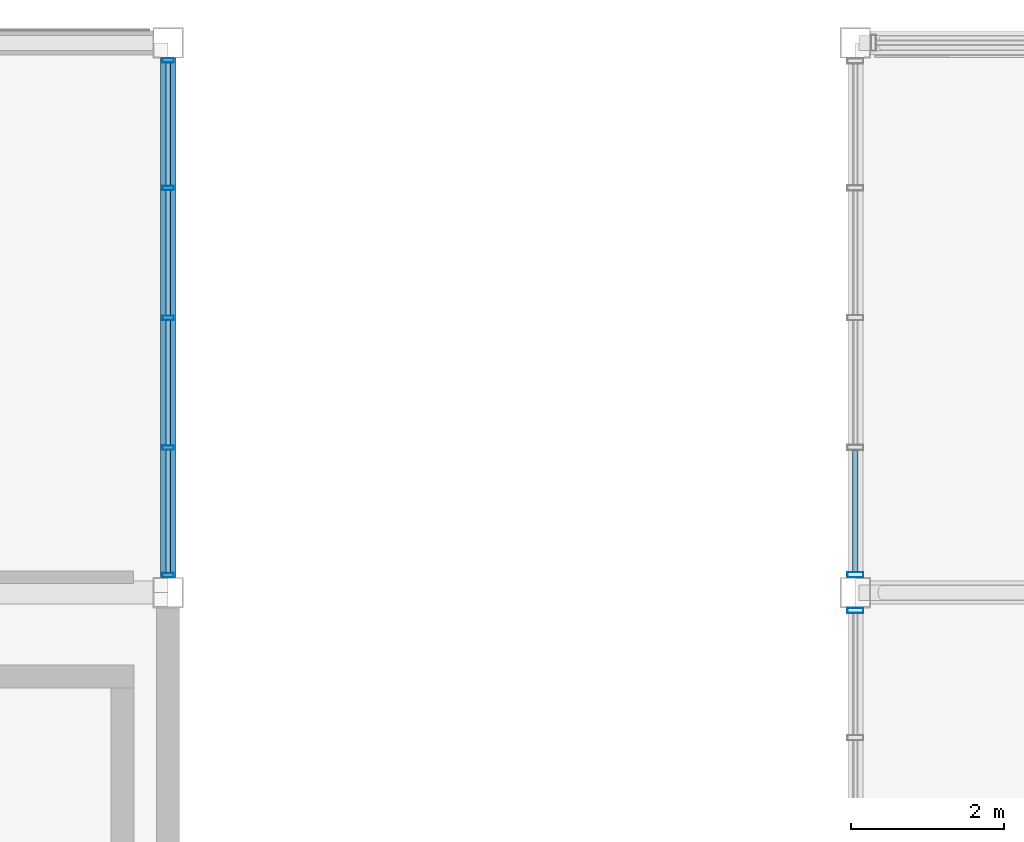
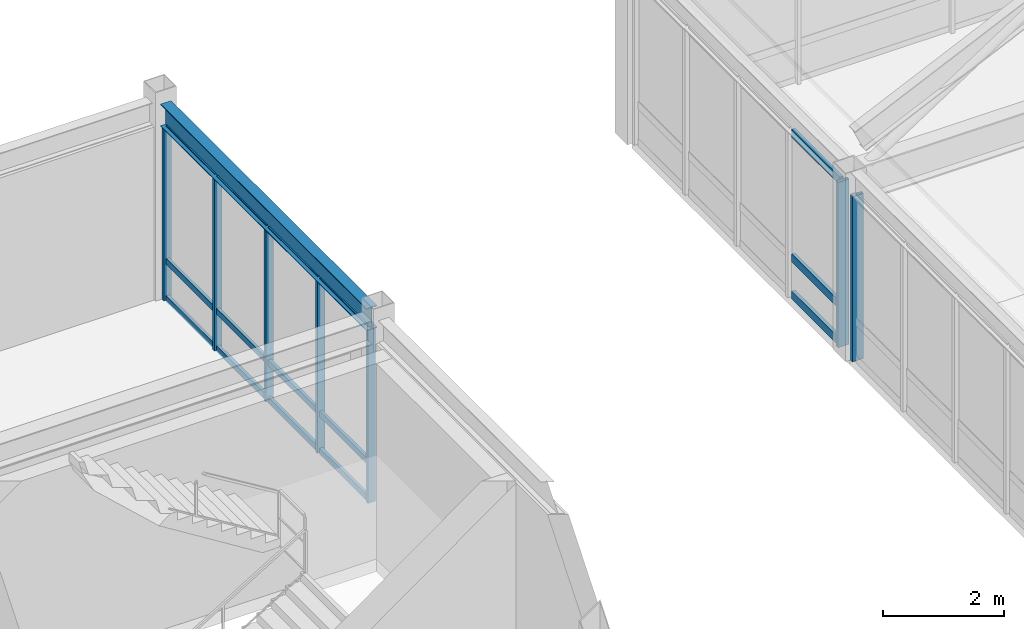
# One storey, part 56 of 106: 22 members, 1 beam, 3 elements without a shape of their own.
"""IFC4 building model written with IfcOpenShell, lengths in metres."""

from ifc_helpers import new_model, si_unit, direction, frame, origin, origin_2d, place, context, subcontext, project, spatial, hollow_rectangle, i_section, extrude, material, material_profile, profile_set, type_object, element, aggregate, save


model = new_model("IFC4")

# Units and contexts
model_context = context("Model", 3, precision=1e-05, world=origin(), true_north=direction((0.0, 1.0)))
body_context = subcontext(model_context, "Body", "Model", "MODEL_VIEW")
ifc_project = project(units=[si_unit("LENGTHUNIT", "METRE"), si_unit("AREAUNIT", "SQUARE_METRE"), si_unit("VOLUMEUNIT", "CUBIC_METRE"), si_unit("PLANEANGLEUNIT", "RADIAN"), si_unit("MASSUNIT", "GRAM", prefix="KILO")], contexts=[model_context])

# Site, building, storey
site_placement = place(None, origin())
site = spatial("IfcSite", under=ifc_project, at=site_placement, CompositionType="ELEMENT")
building_placement = place(site_placement, origin())
building = spatial("IfcBuilding", under=site, at=building_placement, Name="Kazanami Central Library", CompositionType="ELEMENT")
storey_placement = place(building_placement, frame((0.0, 0.0, 12.800048828125)))
storey = spatial("IfcBuildingStorey", under=building, at=storey_placement, Name="L04", CompositionType="ELEMENT", Elevation=12.800048828125)

# Beam
ifc_material_1 = material(Name="Steel SN490B (325 MPa)", Category="steel")
ifc_material_profile_1 = material_profile(ifc_material_1, i_section(OverallWidth=0.199951171875, OverallDepth=0.449951171875, WebThickness=0.009033203125, FlangeThickness=0.013916015625, at=origin_2d()), Name="H-450x200x9x14")
ifc_profile_set_1 = profile_set([ifc_material_profile_1], Name="Steel SN490B (325 MPa)")
beam_type = type_object("IfcBeamType", Name="BM-SP-2", PredefinedType="SPANDREL", material=ifc_profile_set_1)
beam_placement = place(storey_placement, frame((36.0, 86.597900390625, 3.71484375), z_axis=(0.0, 1.0, 0.0), x_axis=(-1.0, 0.0, 0.0)))
element("IfcBeam", 1, at=beam_placement, inside=storey, type_object=beam_type, Name="Girder SP-2 L04 5/N-O", PredefinedType="SPANDREL", context=body_context, shape_type="SweptSolid", body=[
    extrude(i_section(OverallWidth=0.199951171875, OverallDepth=0.449951171875, WebThickness=0.009033203125, FlangeThickness=0.013916015625, at=origin_2d()), origin(), (0.0, 0.0, 1.0), 6.80419921875),
])

# Curtain wall, member
ifc_material_2 = material(Name="Acid-Etched Low-E Laminated Glass", Category="glass")
curtain_wall_type_1 = type_object("IfcCurtainWallType", Name="CW-6800x3330-M180", PredefinedType="USERDEFINED", material=ifc_material_2)
curtain_wall_1_placement = place(storey_placement, origin())
curtain_wall_1 = element("IfcCurtainWall", 2, at=curtain_wall_1_placement, inside=storey, type_object=curtain_wall_type_1, Name="Covered Link Bridge Curtain Wall CW-44 L04 W-6-11", ObjectType="UNITISED CURTAIN WALL", PredefinedType="USERDEFINED")
ifc_material_3 = material(Name="Anodised Aluminium A6063-T5", Category="aluminium")
ifc_material_profile_2 = material_profile(ifc_material_3, hollow_rectangle(XDim=0.070068359375, YDim=0.2099609375, WallThickness=0.0048828125, at=origin_2d()), Name="ALU-MULL-70x210x5")
ifc_profile_set_2 = profile_set([ifc_material_profile_2], Name="Anodised Aluminium A6063-T5")
member_type_1 = type_object("IfcMemberType", Name="MEM-CW-M1", PredefinedType="MULLION", material=ifc_profile_set_2)
member_1_placement = place(storey_placement, frame((45.0, 86.1650390625, 0.0), z_axis=(0.0, 0.0, 1.0), x_axis=(0.0, 1.0, 0.0)))
member_1 = element("IfcMember", 3, at=member_1_placement, type_object=member_type_1, Name="CW-44 mullion 5", PredefinedType="MULLION", context=body_context, shape_type="SweptSolid", body=[
    extrude(hollow_rectangle(XDim=0.070068359375, YDim=0.2099609375, WallThickness=0.0048828125, at=origin_2d()), origin(), (0.0, 0.0, 1.0), 3.329833984375),
])
aggregate(curtain_wall_1, [member_1])

curtain_wall_2_placement = place(storey_placement, origin())
curtain_wall_2 = element("IfcCurtainWall", 4, at=curtain_wall_2_placement, inside=storey, type_object=curtain_wall_type_1, Name="Covered Link Bridge Curtain Wall CW-44 L04 W-6-12", ObjectType="UNITISED CURTAIN WALL", PredefinedType="USERDEFINED")
member_2_placement = place(storey_placement, frame((45.0, 86.635009765625, 0.0), z_axis=(0.0, 0.0, 1.0), x_axis=(0.0, 1.0, 0.0)))
member_2 = element("IfcMember", 5, at=member_2_placement, type_object=member_type_1, Name="CW-44 mullion 1", PredefinedType="MULLION", context=body_context, shape_type="SweptSolid", body=[
    extrude(hollow_rectangle(XDim=0.070068359375, YDim=0.2099609375, WallThickness=0.0048828125, at=origin_2d()), origin(), (0.0, 0.0, 1.0), 3.329833984375),
])

# Curtain wall, members
curtain_wall_type_2 = type_object("IfcCurtainWallType", Name="CW-6800x3490-M180", PredefinedType="USERDEFINED", material=ifc_material_2)
curtain_wall_3_placement = place(storey_placement, origin())
curtain_wall_3 = element("IfcCurtainWall", 6, at=curtain_wall_3_placement, inside=storey, type_object=curtain_wall_type_2, Name="Covered Link Bridge Curtain Wall CW-43 L04 E-5-12", ObjectType="UNITISED CURTAIN WALL", PredefinedType="USERDEFINED")
ifc_material_profile_3 = material_profile(ifc_material_3, hollow_rectangle(XDim=0.06005859375, YDim=0.14990234375, WallThickness=0.00390625, at=origin_2d()), Name="ALU-MULL-60x150x4")
ifc_profile_set_3 = profile_set([ifc_material_profile_3], Name="Anodised Aluminium A6063-T5")
member_type_2 = type_object("IfcMemberType", Name="MEM-CW-M3", PredefinedType="MULLION", material=ifc_profile_set_3)
member_3_placement = place(storey_placement, frame((36.0, 93.3701171875, 0.0), z_axis=(0.0, 0.0, 1.0), x_axis=(0.0, -1.0, 0.0)))
member_3 = element("IfcMember", 7, at=member_3_placement, type_object=member_type_2, Name="CW-43 mullion 1", PredefinedType="MULLION", context=body_context, shape_type="SweptSolid", body=[
    extrude(hollow_rectangle(XDim=0.06005859375, YDim=0.14990234375, WallThickness=0.00390625, at=origin_2d()), origin(), (0.0, 0.0, 1.0), 3.489990234375),
])
member_4_placement = place(storey_placement, frame((36.0, 91.699951171875, 0.0), z_axis=(0.0, 0.0, 1.0), x_axis=(0.0, -1.0, 0.0)))
member_4 = element("IfcMember", 8, at=member_4_placement, type_object=member_type_2, Name="CW-43 mullion 2", PredefinedType="MULLION", context=body_context, shape_type="SweptSolid", body=[
    extrude(hollow_rectangle(XDim=0.06005859375, YDim=0.14990234375, WallThickness=0.00390625, at=origin_2d()), origin(), (0.0, 0.0, 1.0), 3.489990234375),
])
member_5_placement = place(storey_placement, frame((36.0, 90.0, 0.0), z_axis=(0.0, 0.0, 1.0), x_axis=(0.0, -1.0, 0.0)))
member_5 = element("IfcMember", 9, at=member_5_placement, type_object=member_type_2, Name="CW-43 mullion 3", PredefinedType="MULLION", context=body_context, shape_type="SweptSolid", body=[
    extrude(hollow_rectangle(XDim=0.06005859375, YDim=0.14990234375, WallThickness=0.00390625, at=origin_2d()), origin(), (0.0, 0.0, 1.0), 3.489990234375),
])
member_6_placement = place(storey_placement, frame((36.0, 88.300048828125, 0.0), z_axis=(0.0, 0.0, 1.0), x_axis=(0.0, -1.0, 0.0)))
member_6 = element("IfcMember", 10, at=member_6_placement, type_object=member_type_2, Name="CW-43 mullion 4", PredefinedType="MULLION", context=body_context, shape_type="SweptSolid", body=[
    extrude(hollow_rectangle(XDim=0.06005859375, YDim=0.14990234375, WallThickness=0.00390625, at=origin_2d()), origin(), (0.0, 0.0, 1.0), 3.489990234375),
])
member_7_placement = place(storey_placement, frame((36.0, 86.6298828125, 0.0), z_axis=(0.0, 0.0, 1.0), x_axis=(0.0, -1.0, 0.0)))
member_7 = element("IfcMember", 11, at=member_7_placement, type_object=member_type_2, Name="CW-43 mullion 5", PredefinedType="MULLION", context=body_context, shape_type="SweptSolid", body=[
    extrude(hollow_rectangle(XDim=0.06005859375, YDim=0.14990234375, WallThickness=0.00390625, at=origin_2d()), origin(), (0.0, 0.0, 1.0), 3.489990234375),
])

# Member
ifc_material_profile_4 = material_profile(ifc_material_3, hollow_rectangle(XDim=0.070068359375, YDim=0.159912109375, WallThickness=0.00390625, at=origin_2d()), Name="ALU-TRAN-70x160x4")
ifc_profile_set_4 = profile_set([ifc_material_profile_4], Name="Anodised Aluminium A6063-T5")
member_type_3 = type_object("IfcMemberType", Name="MEM-CW-T1", PredefinedType="USERDEFINED", material=ifc_profile_set_4)
member_8_placement = place(storey_placement, frame((45.0, 86.669921875, 0.034912109375), z_axis=(0.0, 1.0, 0.0), x_axis=(-1.0, 0.0, 0.0)))
member_8 = element("IfcMember", 12, at=member_8_placement, type_object=member_type_3, Name="CW-44 transom 1.1", ObjectType="TRANSOM", PredefinedType="USERDEFINED", context=body_context, shape_type="SweptSolid", body=[
    extrude(hollow_rectangle(XDim=0.070068359375, YDim=0.159912109375, WallThickness=0.00390625, at=origin_2d()), origin(), (0.0, 0.0, 1.0), 1.594970703125),
])

member_9_placement = place(storey_placement, frame((45.0, 86.669921875, 0.780029296875), z_axis=(0.0, 1.0, 0.0), x_axis=(-1.0, 0.0, 0.0)))
member_9 = element("IfcMember", 13, at=member_9_placement, type_object=member_type_3, Name="CW-44 transom 1.2", ObjectType="TRANSOM", PredefinedType="USERDEFINED", context=body_context, shape_type="SweptSolid", body=[
    extrude(hollow_rectangle(XDim=0.070068359375, YDim=0.159912109375, WallThickness=0.00390625, at=origin_2d()), origin(), (0.0, 0.0, 1.0), 1.594970703125),
])

member_10_placement = place(storey_placement, frame((45.0, 86.669921875, 3.294921875), z_axis=(0.0, 1.0, 0.0), x_axis=(-1.0, 0.0, 0.0)))
member_10 = element("IfcMember", 14, at=member_10_placement, type_object=member_type_3, Name="CW-44 transom 1.3", ObjectType="TRANSOM", PredefinedType="USERDEFINED", context=body_context, shape_type="SweptSolid", body=[
    extrude(hollow_rectangle(XDim=0.070068359375, YDim=0.159912109375, WallThickness=0.00390625, at=origin_2d()), origin(), (0.0, 0.0, 1.0), 1.594970703125),
])

aggregate(curtain_wall_2, [member_2, member_8, member_9, member_10])

ifc_material_profile_5 = material_profile(ifc_material_3, hollow_rectangle(XDim=0.06005859375, YDim=0.1201171875, WallThickness=0.00341796875, at=origin_2d()), Name="ALU-TRAN-60x120x3.5")
ifc_profile_set_5 = profile_set([ifc_material_profile_5], Name="Anodised Aluminium A6063-T5")
member_type_4 = type_object("IfcMemberType", Name="MEM-CW-T3", PredefinedType="USERDEFINED", material=ifc_profile_set_5)
member_11_placement = place(storey_placement, frame((36.0, 93.340087890625, 0.030029296875), z_axis=(0.0, -1.0, 0.0), x_axis=(1.0, 0.0, 0.0)))
member_11 = element("IfcMember", 15, at=member_11_placement, type_object=member_type_4, Name="CW-43 transom 1.1", ObjectType="TRANSOM", PredefinedType="USERDEFINED", context=body_context, shape_type="SweptSolid", body=[
    extrude(hollow_rectangle(XDim=0.06005859375, YDim=0.1201171875, WallThickness=0.00341796875, at=origin_2d()), origin(), (0.0, 0.0, 1.0), 1.610107421875),
])

member_12_placement = place(storey_placement, frame((36.0, 93.340087890625, 0.780029296875), z_axis=(0.0, -1.0, 0.0), x_axis=(1.0, 0.0, 0.0)))
member_12 = element("IfcMember", 16, at=member_12_placement, type_object=member_type_4, Name="CW-43 transom 1.2", ObjectType="TRANSOM", PredefinedType="USERDEFINED", context=body_context, shape_type="SweptSolid", body=[
    extrude(hollow_rectangle(XDim=0.06005859375, YDim=0.1201171875, WallThickness=0.00341796875, at=origin_2d()), origin(), (0.0, 0.0, 1.0), 1.610107421875),
])

member_13_placement = place(storey_placement, frame((36.0, 93.340087890625, 3.4599609375), z_axis=(0.0, -1.0, 0.0), x_axis=(1.0, 0.0, 0.0)))
member_13 = element("IfcMember", 17, at=member_13_placement, type_object=member_type_4, Name="CW-43 transom 1.3", ObjectType="TRANSOM", PredefinedType="USERDEFINED", context=body_context, shape_type="SweptSolid", body=[
    extrude(hollow_rectangle(XDim=0.06005859375, YDim=0.1201171875, WallThickness=0.00341796875, at=origin_2d()), origin(), (0.0, 0.0, 1.0), 1.610107421875),
])

member_14_placement = place(storey_placement, frame((36.0, 91.669921875, 0.030029296875), z_axis=(0.0, -1.0, 0.0), x_axis=(1.0, 0.0, 0.0)))
member_14 = element("IfcMember", 18, at=member_14_placement, type_object=member_type_4, Name="CW-43 transom 2.1", ObjectType="TRANSOM", PredefinedType="USERDEFINED", context=body_context, shape_type="SweptSolid", body=[
    extrude(hollow_rectangle(XDim=0.06005859375, YDim=0.1201171875, WallThickness=0.00341796875, at=origin_2d()), origin(), (0.0, 0.0, 1.0), 1.639892578125),
])

member_15_placement = place(storey_placement, frame((36.0, 91.669921875, 0.780029296875), z_axis=(0.0, -1.0, 0.0), x_axis=(1.0, 0.0, 0.0)))
member_15 = element("IfcMember", 19, at=member_15_placement, type_object=member_type_4, Name="CW-43 transom 2.2", ObjectType="TRANSOM", PredefinedType="USERDEFINED", context=body_context, shape_type="SweptSolid", body=[
    extrude(hollow_rectangle(XDim=0.06005859375, YDim=0.1201171875, WallThickness=0.00341796875, at=origin_2d()), origin(), (0.0, 0.0, 1.0), 1.639892578125),
])

member_16_placement = place(storey_placement, frame((36.0, 91.669921875, 3.4599609375), z_axis=(0.0, -1.0, 0.0), x_axis=(1.0, 0.0, 0.0)))
member_16 = element("IfcMember", 20, at=member_16_placement, type_object=member_type_4, Name="CW-43 transom 2.3", ObjectType="TRANSOM", PredefinedType="USERDEFINED", context=body_context, shape_type="SweptSolid", body=[
    extrude(hollow_rectangle(XDim=0.06005859375, YDim=0.1201171875, WallThickness=0.00341796875, at=origin_2d()), origin(), (0.0, 0.0, 1.0), 1.639892578125),
])

member_17_placement = place(storey_placement, frame((36.0, 89.969970703125, 0.030029296875), z_axis=(0.0, -1.0, 0.0), x_axis=(1.0, 0.0, 0.0)))
member_17 = element("IfcMember", 21, at=member_17_placement, type_object=member_type_4, Name="CW-43 transom 3.1", ObjectType="TRANSOM", PredefinedType="USERDEFINED", context=body_context, shape_type="SweptSolid", body=[
    extrude(hollow_rectangle(XDim=0.06005859375, YDim=0.1201171875, WallThickness=0.00341796875, at=origin_2d()), origin(), (0.0, 0.0, 1.0), 1.639892578125),
])

member_18_placement = place(storey_placement, frame((36.0, 89.969970703125, 0.780029296875), z_axis=(0.0, -1.0, 0.0), x_axis=(1.0, 0.0, 0.0)))
member_18 = element("IfcMember", 22, at=member_18_placement, type_object=member_type_4, Name="CW-43 transom 3.2", ObjectType="TRANSOM", PredefinedType="USERDEFINED", context=body_context, shape_type="SweptSolid", body=[
    extrude(hollow_rectangle(XDim=0.06005859375, YDim=0.1201171875, WallThickness=0.00341796875, at=origin_2d()), origin(), (0.0, 0.0, 1.0), 1.639892578125),
])

member_19_placement = place(storey_placement, frame((36.0, 89.969970703125, 3.4599609375), z_axis=(0.0, -1.0, 0.0), x_axis=(1.0, 0.0, 0.0)))
member_19 = element("IfcMember", 23, at=member_19_placement, type_object=member_type_4, Name="CW-43 transom 3.3", ObjectType="TRANSOM", PredefinedType="USERDEFINED", context=body_context, shape_type="SweptSolid", body=[
    extrude(hollow_rectangle(XDim=0.06005859375, YDim=0.1201171875, WallThickness=0.00341796875, at=origin_2d()), origin(), (0.0, 0.0, 1.0), 1.639892578125),
])

member_20_placement = place(storey_placement, frame((36.0, 88.27001953125, 0.030029296875), z_axis=(0.0, -1.0, 0.0), x_axis=(1.0, 0.0, 0.0)))
member_20 = element("IfcMember", 24, at=member_20_placement, type_object=member_type_4, Name="CW-43 transom 4.1", ObjectType="TRANSOM", PredefinedType="USERDEFINED", context=body_context, shape_type="SweptSolid", body=[
    extrude(hollow_rectangle(XDim=0.06005859375, YDim=0.1201171875, WallThickness=0.00341796875, at=origin_2d()), origin(), (0.0, 0.0, 1.0), 1.610107421875),
])

member_21_placement = place(storey_placement, frame((36.0, 88.27001953125, 0.780029296875), z_axis=(0.0, -1.0, 0.0), x_axis=(1.0, 0.0, 0.0)))
member_21 = element("IfcMember", 25, at=member_21_placement, type_object=member_type_4, Name="CW-43 transom 4.2", ObjectType="TRANSOM", PredefinedType="USERDEFINED", context=body_context, shape_type="SweptSolid", body=[
    extrude(hollow_rectangle(XDim=0.06005859375, YDim=0.1201171875, WallThickness=0.00341796875, at=origin_2d()), origin(), (0.0, 0.0, 1.0), 1.610107421875),
])

member_22_placement = place(storey_placement, frame((36.0, 88.27001953125, 3.4599609375), z_axis=(0.0, -1.0, 0.0), x_axis=(1.0, 0.0, 0.0)))
member_22 = element("IfcMember", 26, at=member_22_placement, type_object=member_type_4, Name="CW-43 transom 4.3", ObjectType="TRANSOM", PredefinedType="USERDEFINED", context=body_context, shape_type="SweptSolid", body=[
    extrude(hollow_rectangle(XDim=0.06005859375, YDim=0.1201171875, WallThickness=0.00341796875, at=origin_2d()), origin(), (0.0, 0.0, 1.0), 1.610107421875),
])

aggregate(curtain_wall_3, [member_3, member_4, member_5, member_6, member_7, member_11, member_12, member_13, member_14, member_15, member_16, member_17, member_18, member_19, member_20, member_21, member_22])

save(model, "model.ifc")
